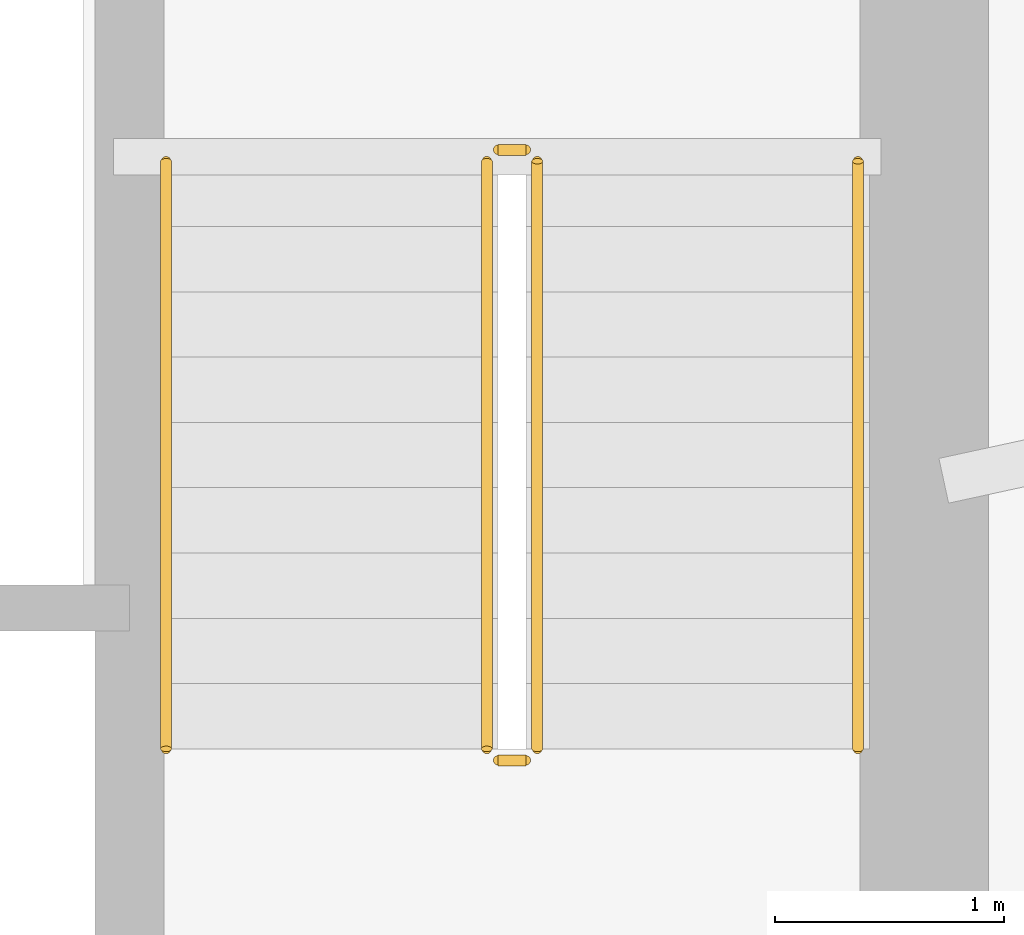
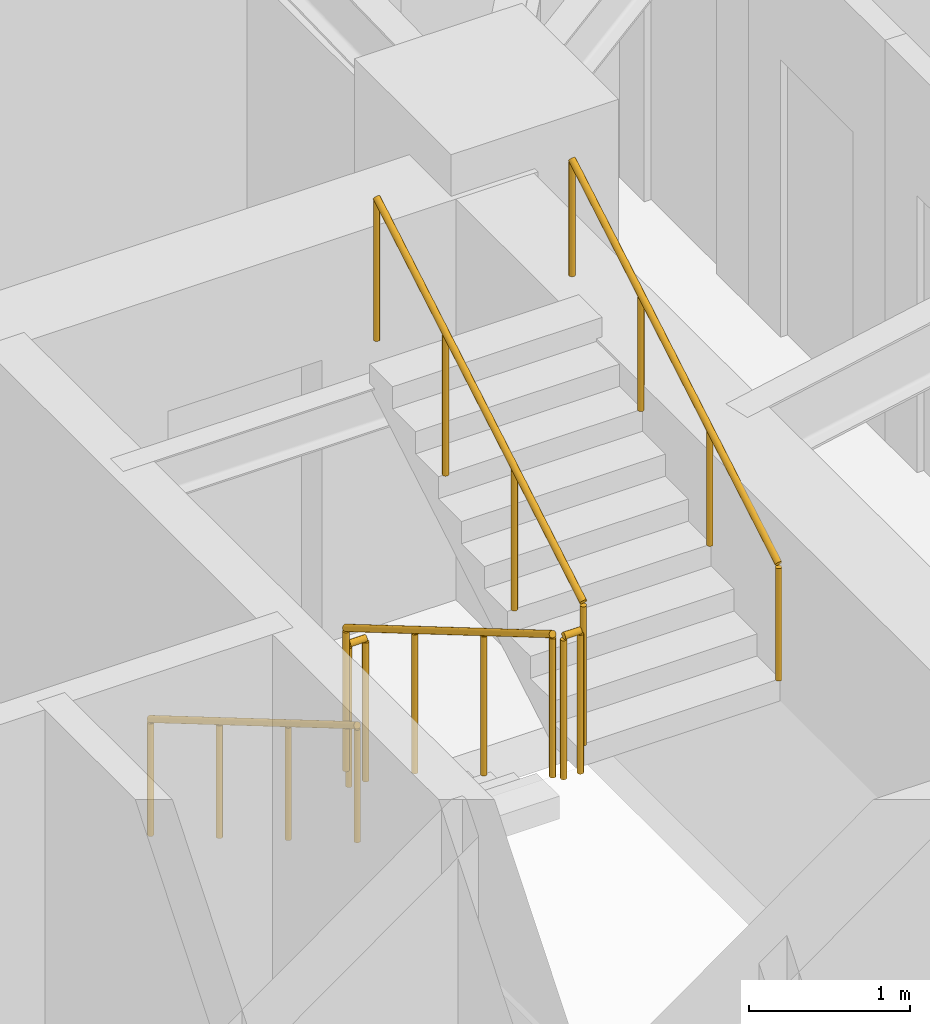
# One storey, part 21 of 22: 6 railings.
"""IFC4 building model written with IfcOpenShell, lengths in metres."""

from ifc_helpers import new_model, si_unit, direction, frame, origin, origin_2d, place, context, subcontext, project, spatial, circle, extrude, material, type_object, element, save


model = new_model("IFC4")

# Units and contexts
model_context = context("Model", 3, precision=1e-05, world=origin(), true_north=direction((0.0, 1.0)))
body_context = subcontext(model_context, "Body", "Model", "MODEL_VIEW")
ifc_project = project(units=[si_unit("LENGTHUNIT", "METRE"), si_unit("AREAUNIT", "SQUARE_METRE"), si_unit("VOLUMEUNIT", "CUBIC_METRE"), si_unit("PLANEANGLEUNIT", "RADIAN"), si_unit("MASSUNIT", "GRAM", prefix="KILO")], contexts=[model_context])

# Site, building, storey
site_placement = place(None, origin())
site = spatial("IfcSite", under=ifc_project, at=site_placement, CompositionType="ELEMENT")
building_placement = place(site_placement, origin())
building = spatial("IfcBuilding", under=site, at=building_placement, Name="Qobustan Lattice House", CompositionType="ELEMENT")
storey_placement = place(building_placement, frame((0.0, 0.0, 33.699951171875)))
storey = spatial("IfcBuildingStorey", under=building, at=storey_placement, Name="L08", CompositionType="ELEMENT", Elevation=33.699951171875)

# Railings
ifc_material_1 = material(Name="Brushed stainless steel handrail", Category="steel")
railing_type_1 = type_object("IfcRailingType", Name="RAL-HR-920", PredefinedType="HANDRAIL", material=ifc_material_1)
railing_1_placement = place(storey_placement, frame((15.179931640625, 3.5, 0.16748046875)))
element("IfcRailing", 1, at=railing_1_placement, inside=storey, type_object=railing_type_1, Name="L08 ST-E1 stair handrail 1", PredefinedType="HANDRAIL", context=body_context, shape_type="SweptSolid", body=[
    extrude(circle(Radius=0.02392578125, at=origin_2d()), frame((0.0, 0.0, 0.8759765625), z_axis=(0.0, -0.862113467892, 0.50671527358), x_axis=(1.0, 0.0, 0.0)), (0.0, 0.0, 1.0), 2.97509765625),
    extrude(circle(Radius=0.02099609375, at=origin_2d()), origin(), (0.0, 0.0, 1.0), 0.851806640625),
    extrude(circle(Radius=0.02099609375, at=origin_2d()), frame((0.0, -0.85498046875, 0.50244140625)), (0.0, 0.0, 1.0), 0.851806640625),
    extrude(circle(Radius=0.02099609375, at=origin_2d()), frame((0.0, -1.7099609375, 1.005126953125)), (0.0, 0.0, 1.0), 0.851806640625),
    extrude(circle(Radius=0.02099609375, at=origin_2d()), frame((0.0, -2.56494140625, 1.507568359375)), (0.0, 0.0, 1.0), 0.851806640625),
])
railing_2_placement = place(storey_placement, frame((18.199951171875, 0.93505859375, 1.842529296875)))
element("IfcRailing", 2, at=railing_2_placement, inside=storey, type_object=railing_type_1, Name="L08 ST-E1 stair handrail 2", PredefinedType="HANDRAIL", context=body_context, shape_type="SweptSolid", body=[
    extrude(circle(Radius=0.02392578125, at=origin_2d()), frame((0.0, 0.0, 0.8759765625), z_axis=(0.0, 0.862113467892, 0.50671527358), x_axis=(-1.0, 0.0, 0.0)), (0.0, 0.0, 1.0), 2.97509765625),
    extrude(circle(Radius=0.02099609375, at=origin_2d()), origin(), (0.0, 0.0, 1.0), 0.851806640625),
    extrude(circle(Radius=0.02099609375, at=origin_2d()), frame((0.0, 0.85498046875, 0.50244140625)), (0.0, 0.0, 1.0), 0.851806640625),
    extrude(circle(Radius=0.02099609375, at=origin_2d()), frame((0.0, 1.7099609375, 1.005126953125)), (0.0, 0.0, 1.0), 0.851806640625),
    extrude(circle(Radius=0.02099609375, at=origin_2d()), frame((0.0, 2.56494140625, 1.507568359375)), (0.0, 0.0, 1.0), 0.851806640625),
])
ifc_material_2 = material(Name="Painted galvanized steel guardrail", Category="steel")
railing_type_2 = type_object("IfcRailingType", Name="RAL-STG-1150", PredefinedType="GUARDRAIL", material=ifc_material_2)
railing_3_placement = place(storey_placement, frame((16.580078125, 3.5, 0.16748046875)))
element("IfcRailing", 3, at=railing_3_placement, inside=storey, type_object=railing_type_2, Name="L08 ST-E1 stair guard 1", PredefinedType="GUARDRAIL", context=body_context, shape_type="SweptSolid", body=[
    extrude(circle(Radius=0.02392578125, at=origin_2d()), frame((0.0, 0.0, 1.076171875), z_axis=(0.0, -0.862113467892, 0.50671527358), x_axis=(1.0, 0.0, 0.0)), (0.0, 0.0, 1.0), 2.97509765625),
    extrude(circle(Radius=0.02099609375, at=origin_2d()), origin(), (0.0, 0.0, 1.0), 1.052001953125),
    extrude(circle(Radius=0.02099609375, at=origin_2d()), frame((0.0, -0.85498046875, 0.50244140625)), (0.0, 0.0, 1.0), 1.052001953125),
    extrude(circle(Radius=0.02099609375, at=origin_2d()), frame((0.0, -1.7099609375, 1.005126953125)), (0.0, 0.0, 1.0), 1.052001953125),
    extrude(circle(Radius=0.02099609375, at=origin_2d()), frame((0.0, -2.56494140625, 1.507568359375)), (0.0, 0.0, 1.0), 1.052001953125),
])
railing_4_placement = place(storey_placement, frame((16.6298828125, 0.885009765625, 1.675048828125)))
element("IfcRailing", 4, at=railing_4_placement, inside=storey, type_object=railing_type_2, Name="L08 ST-E1 stair guard 2", PredefinedType="GUARDRAIL", context=body_context, shape_type="SweptSolid", body=[
    extrude(circle(Radius=0.02392578125, at=origin_2d()), frame((0.0, 0.0, 1.076171875), z_axis=(1.0, 0.0, 0.0), x_axis=(0.0, 1.0, 0.0)), (0.0, 0.0, 1.0), 0.1201171875),
    extrude(circle(Radius=0.02099609375, at=origin_2d()), origin(), (0.0, 0.0, 1.0), 1.052001953125),
    extrude(circle(Radius=0.02099609375, at=origin_2d()), frame((0.1201171875, 0.0, 0.0)), (0.0, 0.0, 1.0), 1.052001953125),
])
railing_5_placement = place(storey_placement, frame((16.800048828125, 0.93505859375, 1.842529296875)))
element("IfcRailing", 5, at=railing_5_placement, inside=storey, type_object=railing_type_2, Name="L08 ST-E1 stair guard 3", PredefinedType="GUARDRAIL", context=body_context, shape_type="SweptSolid", body=[
    extrude(circle(Radius=0.02392578125, at=origin_2d()), frame((0.0, 0.0, 1.076171875), z_axis=(0.0, 0.862113467892, 0.50671527358), x_axis=(-1.0, 0.0, 0.0)), (0.0, 0.0, 1.0), 2.97509765625),
    extrude(circle(Radius=0.02099609375, at=origin_2d()), origin(), (0.0, 0.0, 1.0), 1.052001953125),
    extrude(circle(Radius=0.02099609375, at=origin_2d()), frame((0.0, 0.85498046875, 0.50244140625)), (0.0, 0.0, 1.0), 1.052001953125),
    extrude(circle(Radius=0.02099609375, at=origin_2d()), frame((0.0, 1.7099609375, 1.005126953125)), (0.0, 0.0, 1.0), 1.052001953125),
    extrude(circle(Radius=0.02099609375, at=origin_2d()), frame((0.0, 2.56494140625, 1.507568359375)), (0.0, 0.0, 1.0), 1.052001953125),
])
railing_6_placement = place(storey_placement, frame((16.6298828125, 3.550048828125, 0.0)))
element("IfcRailing", 6, at=railing_6_placement, inside=storey, type_object=railing_type_2, Name="L08 ST-E1 stair guard 4", PredefinedType="GUARDRAIL", context=body_context, shape_type="SweptSolid", body=[
    extrude(circle(Radius=0.02392578125, at=origin_2d()), frame((0.0, 0.0, 1.076171875), z_axis=(1.0, 0.0, 0.0), x_axis=(0.0, 1.0, 0.0)), (0.0, 0.0, 1.0), 0.1201171875),
    extrude(circle(Radius=0.02099609375, at=origin_2d()), origin(), (0.0, 0.0, 1.0), 1.052001953125),
    extrude(circle(Radius=0.02099609375, at=origin_2d()), frame((0.1201171875, 0.0, 0.0)), (0.0, 0.0, 1.0), 1.052001953125),
])

save(model, "model.ifc")
